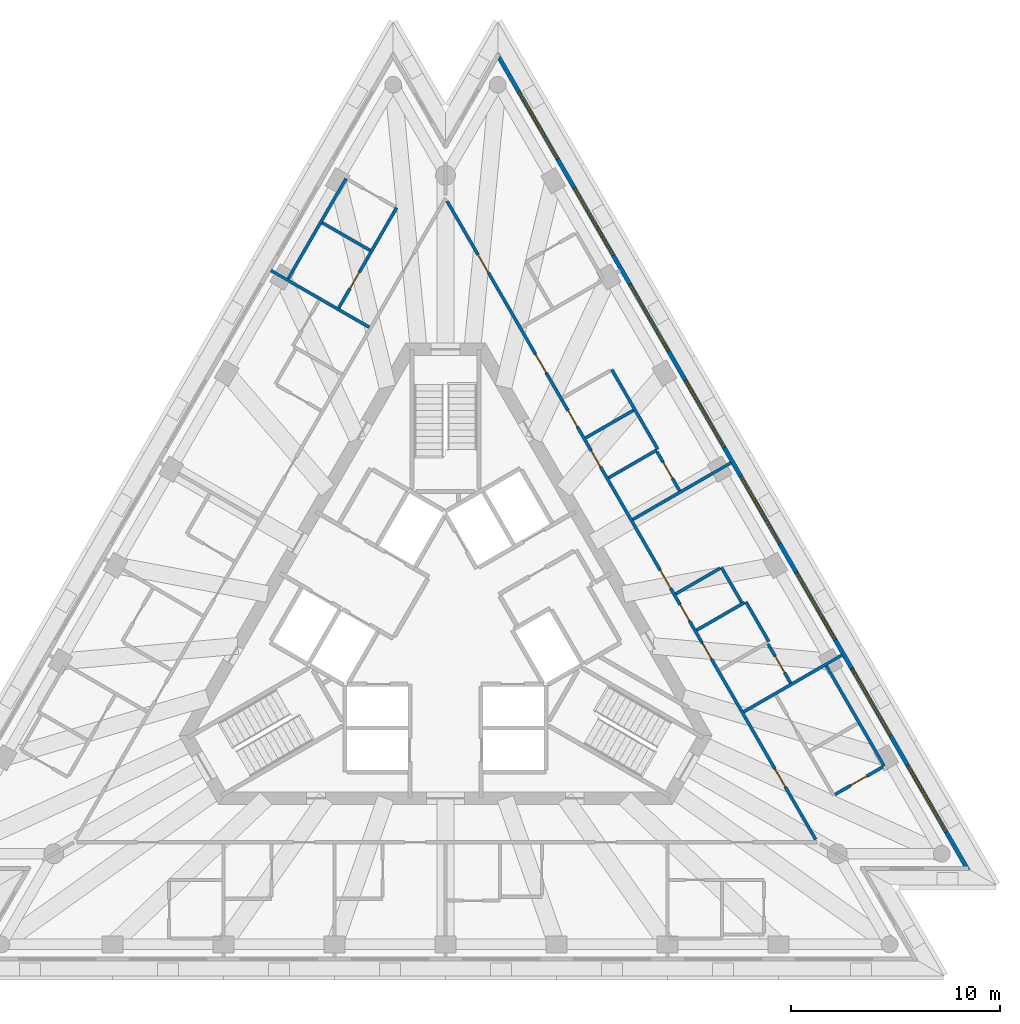
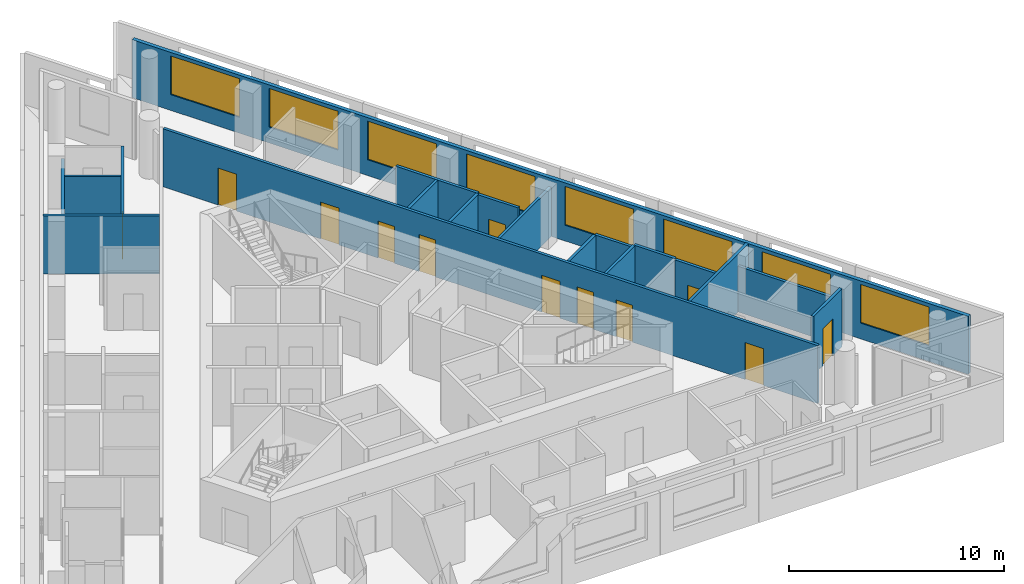
# One storey, part 7 of 11: 19 walls, 12 doors, 8 windows, 20 openings.
"""IFC4 building model written with IfcOpenShell, lengths in metres."""

from ifc_helpers import new_model, si_unit, direction, frame, frame_2d, origin, place, context, subcontext, project, spatial, rectangle, extrude, material, layer, layer_set, layer_usage, type_object, element, fill, save


model = new_model("IFC4")

# Units and contexts
model_context = context("Model", 3, precision=1e-05, world=origin(), true_north=direction((0.0, 1.0)))
body_context = subcontext(model_context, "Body", "Model", "MODEL_VIEW")
ifc_project = project(units=[si_unit("LENGTHUNIT", "METRE"), si_unit("AREAUNIT", "SQUARE_METRE"), si_unit("VOLUMEUNIT", "CUBIC_METRE"), si_unit("PLANEANGLEUNIT", "RADIAN"), si_unit("MASSUNIT", "GRAM", prefix="KILO")], contexts=[model_context])

# Site, building, storey
site_placement = place(None, origin())
site = spatial("IfcSite", under=ifc_project, at=site_placement, CompositionType="ELEMENT")
building_placement = place(site_placement, origin())
building = spatial("IfcBuilding", under=site, at=building_placement, Name="Triada Interchange Tower", CompositionType="ELEMENT")
storey_placement = place(building_placement, frame((0.0, 0.0, 304.300048828125)))
storey = spatial("IfcBuildingStorey", under=building, at=storey_placement, Name="L72", CompositionType="ELEMENT", Elevation=304.300048828125)

# Wall, openings, windows
ifc_material_1 = material(Name="Cement board")
ifc_layer_1 = layer(ifc_material_1, 0.02001953125, Name="Cement board cladding")
ifc_material_2 = material(Name="Sheathing board")
ifc_layer_2 = layer(ifc_material_2, 0.014892578125, Name="Sheathing board")
ifc_material_3 = material(Name="Mineral wool")
ifc_layer_3 = layer(ifc_material_3, 0.14990234375, Name="Mineral wool between steel studs")
ifc_material_4 = material(Name="Gypsum board")
ifc_layer_4 = layer(ifc_material_4, 0.014892578125, Name="Plasterboard lining")
ifc_layer_set_1 = layer_set([ifc_layer_1, ifc_layer_2, ifc_layer_3, ifc_layer_4], Name="External wall 200")
ifc_layer_usage = layer_usage(ifc_layer_set_1, "AXIS2", "POSITIVE", -0.10009765625)
wall_type_1 = type_object("IfcWallType", Name="External wall 200", PredefinedType="ELEMENTEDWALL", material=ifc_layer_set_1)
wall_1_placement = place(storey_placement, frame((24.9599609375, -11.577880859375, 0.0), z_axis=(0.0, 0.0, 1.0), x_axis=(-0.500002391419, 0.866024023094, 0.0)))
wall_1 = element("IfcWall", 1, at=wall_1_placement, inside=storey, type_object=wall_type_1, material=ifc_layer_usage, Name="External wall L72 NE", PredefinedType="ELEMENTEDWALL", context=body_context, shape_type="SweptSolid", body=[
    extrude(rectangle(XDim=44.993896484375, YDim=0.199951171875, at=frame_2d((22.4970703125, 0.0))), origin(), (0.0, 0.0, 1.0), 3.300048828125),
])
opening_1_placement = place(wall_1_placement, frame((2.10302734375, 0.0, 0.89990234375)))
opening_1 = element("IfcOpeningElement", 2, at=opening_1_placement, cuts=wall_1, Name="Opening WD21", PredefinedType="OPENING", context=body_context, shape_type="SweptSolid", body=[
    extrude(rectangle(XDim=3.699951171875, YDim=2.199951171875, at=frame_2d((1.85009765625, 1.10009765625))), frame((0.0, 0.10986328125, 0.0), z_axis=(0.0, -1.0, 0.0), x_axis=(1.0, 0.0, 0.0)), (0.0, 0.0, 1.0), 0.219970703125),
])
opening_2_placement = place(wall_1_placement, frame((7.404052734375, 0.0, 0.89990234375)))
opening_2 = element("IfcOpeningElement", 3, at=opening_2_placement, cuts=wall_1, Name="Opening WD22", PredefinedType="OPENING", context=body_context, shape_type="SweptSolid", body=[
    extrude(rectangle(XDim=3.699951171875, YDim=2.199951171875, at=frame_2d((1.85009765625, 1.10009765625))), frame((0.0, 0.10986328125, 0.0), z_axis=(0.0, -1.0, 0.0), x_axis=(1.0, 0.0, 0.0)), (0.0, 0.0, 1.0), 0.219970703125),
])
opening_3_placement = place(wall_1_placement, frame((12.705078125, 0.0, 0.89990234375)))
opening_3 = element("IfcOpeningElement", 4, at=opening_3_placement, cuts=wall_1, Name="Opening WD23", PredefinedType="OPENING", context=body_context, shape_type="SweptSolid", body=[
    extrude(rectangle(XDim=3.699951171875, YDim=2.199951171875, at=frame_2d((1.85009765625, 1.10009765625))), frame((0.0, 0.10986328125, 0.0), z_axis=(0.0, -1.0, 0.0), x_axis=(1.0, 0.0, 0.0)), (0.0, 0.0, 1.0), 0.219970703125),
])
opening_4_placement = place(wall_1_placement, frame((18.006103515625, 0.0, 0.89990234375)))
opening_4 = element("IfcOpeningElement", 5, at=opening_4_placement, cuts=wall_1, Name="Opening WD24", PredefinedType="OPENING", context=body_context, shape_type="SweptSolid", body=[
    extrude(rectangle(XDim=3.699951171875, YDim=2.199951171875, at=frame_2d((1.85009765625, 1.10009765625))), frame((0.0, 0.10986328125, 0.0), z_axis=(0.0, -1.0, 0.0), x_axis=(1.0, 0.0, 0.0)), (0.0, 0.0, 1.0), 0.219970703125),
])
opening_5_placement = place(wall_1_placement, frame((23.30810546875, 0.0, 0.89990234375)))
opening_5 = element("IfcOpeningElement", 6, at=opening_5_placement, cuts=wall_1, Name="Opening WD25", PredefinedType="OPENING", context=body_context, shape_type="SweptSolid", body=[
    extrude(rectangle(XDim=3.699951171875, YDim=2.199951171875, at=frame_2d((1.85009765625, 1.10009765625))), frame((0.0, 0.10986328125, 0.0), z_axis=(0.0, -1.0, 0.0), x_axis=(1.0, 0.0, 0.0)), (0.0, 0.0, 1.0), 0.219970703125),
])
opening_6_placement = place(wall_1_placement, frame((28.60888671875, 0.0, 0.89990234375)))
opening_6 = element("IfcOpeningElement", 7, at=opening_6_placement, cuts=wall_1, Name="Opening WD26", PredefinedType="OPENING", context=body_context, shape_type="SweptSolid", body=[
    extrude(rectangle(XDim=3.699951171875, YDim=2.199951171875, at=frame_2d((1.85009765625, 1.10009765625))), frame((0.0, 0.10986328125, 0.0), z_axis=(0.0, -1.0, 0.0), x_axis=(1.0, 0.0, 0.0)), (0.0, 0.0, 1.0), 0.219970703125),
])
opening_7_placement = place(wall_1_placement, frame((33.909912109375, 0.0, 0.89990234375)))
opening_7 = element("IfcOpeningElement", 8, at=opening_7_placement, cuts=wall_1, Name="Opening WD27", PredefinedType="OPENING", context=body_context, shape_type="SweptSolid", body=[
    extrude(rectangle(XDim=3.699951171875, YDim=2.199951171875, at=frame_2d((1.85009765625, 1.10009765625))), frame((0.0, 0.10986328125, 0.0), z_axis=(0.0, -1.0, 0.0), x_axis=(1.0, 0.0, 0.0)), (0.0, 0.0, 1.0), 0.219970703125),
])
opening_8_placement = place(wall_1_placement, frame((39.2109375, 0.0, 0.89990234375)))
opening_8 = element("IfcOpeningElement", 9, at=opening_8_placement, cuts=wall_1, Name="Opening WD28", PredefinedType="OPENING", context=body_context, shape_type="SweptSolid", body=[
    extrude(rectangle(XDim=3.699951171875, YDim=2.199951171875, at=frame_2d((1.85009765625, 1.10009765625))), frame((0.0, 0.10986328125, 0.0), z_axis=(0.0, -1.0, 0.0), x_axis=(1.0, 0.0, 0.0)), (0.0, 0.0, 1.0), 0.219970703125),
])
ifc_material_5 = material(Name="Double glazed aluminium window", Category="aluminium")
window_type = type_object("IfcWindowType", Name="Ribbon window D face", PartitioningType="SINGLE_PANEL", PredefinedType="WINDOW", material=ifc_material_5)
window_1_placement = place(opening_1_placement, origin())
window_1 = element("IfcWindow", 10, at=window_1_placement, inside=storey, type_object=window_type, Name="Window L72 NE 1", OverallHeight=2.199951171875, OverallWidth=3.699951171875, PartitioningType="SINGLE_PANEL", PredefinedType="WINDOW", context=body_context, shape_type="SweptSolid", body=[
    extrude(rectangle(XDim=3.699951171875, YDim=2.199951171875, at=frame_2d((1.85009765625, 1.10009765625))), frame((0.0, 0.030029296875, 0.0), z_axis=(0.0, -1.0, 0.0), x_axis=(1.0, 0.0, 0.0)), (0.0, 0.0, 1.0), 0.06005859375),
])
fill(opening_1, window_1)
window_2_placement = place(opening_2_placement, origin())
window_2 = element("IfcWindow", 11, at=window_2_placement, inside=storey, type_object=window_type, Name="Window L72 NE 2", OverallHeight=2.199951171875, OverallWidth=3.699951171875, PartitioningType="SINGLE_PANEL", PredefinedType="WINDOW", context=body_context, shape_type="SweptSolid", body=[
    extrude(rectangle(XDim=3.699951171875, YDim=2.199951171875, at=frame_2d((1.85009765625, 1.10009765625))), frame((0.0, 0.030029296875, 0.0), z_axis=(0.0, -1.0, 0.0), x_axis=(1.0, 0.0, 0.0)), (0.0, 0.0, 1.0), 0.06005859375),
])
fill(opening_2, window_2)
window_3_placement = place(opening_3_placement, origin())
window_3 = element("IfcWindow", 12, at=window_3_placement, inside=storey, type_object=window_type, Name="Window L72 NE 3", OverallHeight=2.199951171875, OverallWidth=3.699951171875, PartitioningType="SINGLE_PANEL", PredefinedType="WINDOW", context=body_context, shape_type="SweptSolid", body=[
    extrude(rectangle(XDim=3.699951171875, YDim=2.199951171875, at=frame_2d((1.85009765625, 1.10009765625))), frame((0.0, 0.030029296875, 0.0), z_axis=(0.0, -1.0, 0.0), x_axis=(1.0, 0.0, 0.0)), (0.0, 0.0, 1.0), 0.06005859375),
])
fill(opening_3, window_3)
window_4_placement = place(opening_4_placement, origin())
window_4 = element("IfcWindow", 13, at=window_4_placement, inside=storey, type_object=window_type, Name="Window L72 NE 4", OverallHeight=2.199951171875, OverallWidth=3.699951171875, PartitioningType="SINGLE_PANEL", PredefinedType="WINDOW", context=body_context, shape_type="SweptSolid", body=[
    extrude(rectangle(XDim=3.699951171875, YDim=2.199951171875, at=frame_2d((1.85009765625, 1.10009765625))), frame((0.0, 0.030029296875, 0.0), z_axis=(0.0, -1.0, 0.0), x_axis=(1.0, 0.0, 0.0)), (0.0, 0.0, 1.0), 0.06005859375),
])
fill(opening_4, window_4)
window_5_placement = place(opening_5_placement, origin())
window_5 = element("IfcWindow", 14, at=window_5_placement, inside=storey, type_object=window_type, Name="Window L72 NE 5", OverallHeight=2.199951171875, OverallWidth=3.699951171875, PartitioningType="SINGLE_PANEL", PredefinedType="WINDOW", context=body_context, shape_type="SweptSolid", body=[
    extrude(rectangle(XDim=3.699951171875, YDim=2.199951171875, at=frame_2d((1.85009765625, 1.10009765625))), frame((0.0, 0.030029296875, 0.0), z_axis=(0.0, -1.0, 0.0), x_axis=(1.0, 0.0, 0.0)), (0.0, 0.0, 1.0), 0.06005859375),
])
fill(opening_5, window_5)
window_6_placement = place(opening_6_placement, origin())
window_6 = element("IfcWindow", 15, at=window_6_placement, inside=storey, type_object=window_type, Name="Window L72 NE 6", OverallHeight=2.199951171875, OverallWidth=3.699951171875, PartitioningType="SINGLE_PANEL", PredefinedType="WINDOW", context=body_context, shape_type="SweptSolid", body=[
    extrude(rectangle(XDim=3.699951171875, YDim=2.199951171875, at=frame_2d((1.85009765625, 1.10009765625))), frame((0.0, 0.030029296875, 0.0), z_axis=(0.0, -1.0, 0.0), x_axis=(1.0, 0.0, 0.0)), (0.0, 0.0, 1.0), 0.06005859375),
])
fill(opening_6, window_6)
window_7_placement = place(opening_7_placement, origin())
window_7 = element("IfcWindow", 16, at=window_7_placement, inside=storey, type_object=window_type, Name="Window L72 NE 7", OverallHeight=2.199951171875, OverallWidth=3.699951171875, PartitioningType="SINGLE_PANEL", PredefinedType="WINDOW", context=body_context, shape_type="SweptSolid", body=[
    extrude(rectangle(XDim=3.699951171875, YDim=2.199951171875, at=frame_2d((1.85009765625, 1.10009765625))), frame((0.0, 0.030029296875, 0.0), z_axis=(0.0, -1.0, 0.0), x_axis=(1.0, 0.0, 0.0)), (0.0, 0.0, 1.0), 0.06005859375),
])
fill(opening_7, window_7)
window_8_placement = place(opening_8_placement, origin())
window_8 = element("IfcWindow", 17, at=window_8_placement, inside=storey, type_object=window_type, Name="Window L72 NE 8", OverallHeight=2.199951171875, OverallWidth=3.699951171875, PartitioningType="SINGLE_PANEL", PredefinedType="WINDOW", context=body_context, shape_type="SweptSolid", body=[
    extrude(rectangle(XDim=3.699951171875, YDim=2.199951171875, at=frame_2d((1.85009765625, 1.10009765625))), frame((0.0, 0.030029296875, 0.0), z_axis=(0.0, -1.0, 0.0), x_axis=(1.0, 0.0, 0.0)), (0.0, 0.0, 1.0), 0.06005859375),
])
fill(opening_8, window_8)

# Walls
ifc_material_6 = material(Name="Gypsum board partition")
ifc_layer_5 = layer(ifc_material_6, 0.14990234375)
ifc_layer_set_2 = layer_set([ifc_layer_5], Name="PARTITION 150 EI 180")
wall_type_2 = type_object("IfcWallType", Name="PARTITION 150 EI 180", PredefinedType="PARTITIONING", material=ifc_layer_set_2)
wall_2_placement = place(storey_placement, frame((8.94189453125, 5.1630859375, 0.0), z_axis=(0.0, 0.0, 1.0), x_axis=(0.866006352826, 0.500032995777, 0.0)))
element("IfcWall", 18, at=wall_2_placement, inside=storey, type_object=wall_type_2, Name="Wall L71 2", PredefinedType="PARTITIONING", context=body_context, shape_type="SweptSolid", body=[
    extrude(rectangle(XDim=5.421630859375, YDim=0.14990234375, at=frame_2d((2.7109375, 0.0))), origin(), (0.0, 0.0, 1.0), 2.800048828125),
])
wall_3_placement = place(storey_placement, frame((-8.3359375, 17.054931640625, 0.0), z_axis=(0.0, 0.0, 1.0), x_axis=(0.865995092734, -0.500052496605, 0.0)))
element("IfcWall", 19, at=wall_3_placement, inside=storey, type_object=wall_type_2, Name="Wall L71 10", PredefinedType="PARTITIONING", context=body_context, shape_type="SweptSolid", body=[
    extrude(rectangle(XDim=5.42138671875, YDim=0.14990234375, at=frame_2d((2.710693359375, 0.0))), origin(), (0.0, 0.0, 1.0), 3.300048828125),
])

# Wall, openings, doors
wall_4_placement = place(storey_placement, frame((0.074951171875, 20.3701171875, 0.0), z_axis=(0.0, 0.0, 1.0), x_axis=(0.500009775255, -0.866019759965, 0.0)))
wall_4 = element("IfcWall", 20, at=wall_4_placement, inside=storey, type_object=wall_type_2, Name="Wall L71 14", PredefinedType="PARTITIONING", context=body_context, shape_type="SweptSolid", body=[
    extrude(rectangle(XDim=35.207275390625, YDim=0.14990234375, at=frame_2d((17.603515625, 0.0))), origin(), (0.0, 0.0, 1.0), 3.300048828125),
])
opening_9_placement = place(wall_4_placement, frame((31.306884765625, 0.0, 0.0)))
opening_9 = element("IfcOpeningElement", 21, at=opening_9_placement, cuts=wall_4, Name="Opening D71-23", PredefinedType="OPENING", context=body_context, shape_type="SweptSolid", body=[
    extrude(rectangle(XDim=1.0, YDim=2.10009765625, at=frame_2d((0.5, 1.050048828125))), frame((0.0, 0.0849609375, 0.0), z_axis=(0.0, -1.0, 0.0), x_axis=(1.0, 0.0, 0.0)), (0.0, 0.0, 1.0), 0.169921875),
])
opening_10_placement = place(wall_4_placement, frame((20.35498046875, 0.0, 0.0)))
opening_10 = element("IfcOpeningElement", 22, at=opening_10_placement, cuts=wall_4, Name="Opening D71-26", PredefinedType="OPENING", context=body_context, shape_type="SweptSolid", body=[
    extrude(rectangle(XDim=1.0, YDim=2.10009765625, at=frame_2d((0.5, 1.050048828125))), frame((0.0, 0.0849609375, 0.0), z_axis=(0.0, -1.0, 0.0), x_axis=(1.0, 0.0, 0.0)), (0.0, 0.0, 1.0), 0.169921875),
])
opening_11_placement = place(wall_4_placement, frame((24.35498046875, 0.0, 0.0)))
opening_11 = element("IfcOpeningElement", 23, at=opening_11_placement, cuts=wall_4, Name="Opening D71-28", PredefinedType="OPENING", context=body_context, shape_type="SweptSolid", body=[
    extrude(rectangle(XDim=0.89990234375, YDim=2.10009765625, at=frame_2d((0.449951171875, 1.050048828125))), frame((0.0, 0.0849609375, 0.0), z_axis=(0.0, -1.0, 0.0), x_axis=(1.0, 0.0, 0.0)), (0.0, 0.0, 1.0), 0.169921875),
])
opening_12_placement = place(wall_4_placement, frame((22.2548828125, 0.0, 0.0)))
opening_12 = element("IfcOpeningElement", 24, at=opening_12_placement, cuts=wall_4, Name="Opening D71-29", PredefinedType="OPENING", context=body_context, shape_type="SweptSolid", body=[
    extrude(rectangle(XDim=0.89990234375, YDim=2.10009765625, at=frame_2d((0.449951171875, 1.050048828125))), frame((0.0, 0.0849609375, 0.0), z_axis=(0.0, -1.0, 0.0), x_axis=(1.0, 0.0, 0.0)), (0.0, 0.0, 1.0), 0.169921875),
])
opening_13_placement = place(wall_4_placement, frame((8.452880859375, 0.0, 0.0)))
opening_13 = element("IfcOpeningElement", 25, at=opening_13_placement, cuts=wall_4, Name="Opening D71-30", PredefinedType="OPENING", context=body_context, shape_type="SweptSolid", body=[
    extrude(rectangle(XDim=1.0, YDim=2.10009765625, at=frame_2d((0.5, 1.050048828125))), frame((0.0, 0.0849609375, 0.0), z_axis=(0.0, -1.0, 0.0), x_axis=(1.0, 0.0, 0.0)), (0.0, 0.0, 1.0), 0.169921875),
])
opening_14_placement = place(wall_4_placement, frame((13.7529296875, 0.0, 0.0)))
opening_14 = element("IfcOpeningElement", 26, at=opening_14_placement, cuts=wall_4, Name="Opening D71-32", PredefinedType="OPENING", context=body_context, shape_type="SweptSolid", body=[
    extrude(rectangle(XDim=0.89990234375, YDim=2.10009765625, at=frame_2d((0.449951171875, 1.050048828125))), frame((0.0, 0.0849609375, 0.0), z_axis=(0.0, -1.0, 0.0), x_axis=(1.0, 0.0, 0.0)), (0.0, 0.0, 1.0), 0.169921875),
])
opening_15_placement = place(wall_4_placement, frame((11.552978515625, 0.0, 0.0)))
opening_15 = element("IfcOpeningElement", 27, at=opening_15_placement, cuts=wall_4, Name="Opening D71-33", PredefinedType="OPENING", context=body_context, shape_type="SweptSolid", body=[
    extrude(rectangle(XDim=0.89990234375, YDim=2.10009765625, at=frame_2d((0.449951171875, 1.050048828125))), frame((0.0, 0.0849609375, 0.0), z_axis=(0.0, -1.0, 0.0), x_axis=(1.0, 0.0, 0.0)), (0.0, 0.0, 1.0), 0.169921875),
])
opening_16_placement = place(wall_4_placement, frame((2.950927734375, 0.0, 0.0)))
opening_16 = element("IfcOpeningElement", 28, at=opening_16_placement, cuts=wall_4, Name="Opening D71-34", PredefinedType="OPENING", context=body_context, shape_type="SweptSolid", body=[
    extrude(rectangle(XDim=1.0, YDim=2.10009765625, at=frame_2d((0.5, 1.050048828125))), frame((0.0, 0.0849609375, 0.0), z_axis=(0.0, -1.0, 0.0), x_axis=(1.0, 0.0, 0.0)), (0.0, 0.0, 1.0), 0.169921875),
])
ifc_material_7 = material(Name="Steel S235 door leaf", Category="steel")
door_type_1 = type_object("IfcDoorType", Name="GUEST ROOM DOOR 1000 EI2 90-C5S200", OperationType="NOTDEFINED", PredefinedType="DOOR", material=ifc_material_7)
door_1_placement = place(opening_9_placement, origin())
door_1 = element("IfcDoor", 29, at=door_1_placement, inside=storey, type_object=door_type_1, Name="Door D71-23 L72", OperationType="SINGLE_SWING_RIGHT", OverallHeight=2.10009765625, OverallWidth=1.0, PredefinedType="DOOR", context=body_context, shape_type="SweptSolid", body=[
    extrude(rectangle(XDim=1.0, YDim=2.10009765625, at=frame_2d((0.5, 1.050048828125))), frame((0.0, 0.02490234375, 0.0), z_axis=(0.0, -1.0, 0.0), x_axis=(1.0, 0.0, 0.0)), (0.0, 0.0, 1.0), 0.050048828125),
])
fill(opening_9, door_1)
door_2_placement = place(opening_10_placement, origin())
door_2 = element("IfcDoor", 30, at=door_2_placement, inside=storey, type_object=door_type_1, Name="Door D71-26 L72", OperationType="SINGLE_SWING_LEFT", OverallHeight=2.10009765625, OverallWidth=1.0, PredefinedType="DOOR", context=body_context, shape_type="SweptSolid", body=[
    extrude(rectangle(XDim=1.0, YDim=2.10009765625, at=frame_2d((0.5, 1.050048828125))), frame((0.0, 0.02490234375, 0.0), z_axis=(0.0, -1.0, 0.0), x_axis=(1.0, 0.0, 0.0)), (0.0, 0.0, 1.0), 0.050048828125),
])
fill(opening_10, door_2)
door_3_placement = place(opening_13_placement, origin())
door_3 = element("IfcDoor", 31, at=door_3_placement, inside=storey, type_object=door_type_1, Name="Door D71-30 L72", OperationType="SINGLE_SWING_LEFT", OverallHeight=2.10009765625, OverallWidth=1.0, PredefinedType="DOOR", context=body_context, shape_type="SweptSolid", body=[
    extrude(rectangle(XDim=1.0, YDim=2.10009765625, at=frame_2d((0.5, 1.050048828125))), frame((0.0, 0.02490234375, 0.0), z_axis=(0.0, -1.0, 0.0), x_axis=(1.0, 0.0, 0.0)), (0.0, 0.0, 1.0), 0.050048828125),
])
fill(opening_13, door_3)
door_4_placement = place(opening_16_placement, origin())
door_4 = element("IfcDoor", 32, at=door_4_placement, inside=storey, type_object=door_type_1, Name="Door D71-34 L72", OperationType="SINGLE_SWING_LEFT", OverallHeight=2.10009765625, OverallWidth=1.0, PredefinedType="DOOR", context=body_context, shape_type="SweptSolid", body=[
    extrude(rectangle(XDim=1.0, YDim=2.10009765625, at=frame_2d((0.5, 1.050048828125))), frame((0.0, 0.02490234375, 0.0), z_axis=(0.0, -1.0, 0.0), x_axis=(1.0, 0.0, 0.0)), (0.0, 0.0, 1.0), 0.050048828125),
])
fill(opening_16, door_4)
door_type_2 = type_object("IfcDoorType", Name="ROOM DOOR 900 EI2 90-C5S200", OperationType="NOTDEFINED", PredefinedType="DOOR", material=ifc_material_7)
door_5_placement = place(opening_12_placement, origin())
door_5 = element("IfcDoor", 33, at=door_5_placement, inside=storey, type_object=door_type_2, Name="Door D71-29 L72", OperationType="SINGLE_SWING_RIGHT", OverallHeight=2.10009765625, OverallWidth=0.89990234375, PredefinedType="DOOR", context=body_context, shape_type="SweptSolid", body=[
    extrude(rectangle(XDim=0.89990234375, YDim=2.10009765625, at=frame_2d((0.449951171875, 1.050048828125))), frame((0.0, 0.02490234375, 0.0), z_axis=(0.0, -1.0, 0.0), x_axis=(1.0, 0.0, 0.0)), (0.0, 0.0, 1.0), 0.050048828125),
])
fill(opening_12, door_5)
door_6_placement = place(opening_15_placement, origin())
door_6 = element("IfcDoor", 34, at=door_6_placement, inside=storey, type_object=door_type_2, Name="Door D71-33 L72", OperationType="SINGLE_SWING_RIGHT", OverallHeight=2.10009765625, OverallWidth=0.89990234375, PredefinedType="DOOR", context=body_context, shape_type="SweptSolid", body=[
    extrude(rectangle(XDim=0.89990234375, YDim=2.10009765625, at=frame_2d((0.449951171875, 1.050048828125))), frame((0.0, 0.02490234375, 0.0), z_axis=(0.0, -1.0, 0.0), x_axis=(1.0, 0.0, 0.0)), (0.0, 0.0, 1.0), 0.050048828125),
])
fill(opening_15, door_6)
door_type_3 = type_object("IfcDoorType", Name="SERVICE DOOR 900 EI2 90-C5S200", OperationType="NOTDEFINED", PredefinedType="DOOR", material=ifc_material_7)
door_7_placement = place(opening_11_placement, origin())
door_7 = element("IfcDoor", 35, at=door_7_placement, inside=storey, type_object=door_type_3, Name="Door D71-28 L72", OperationType="SINGLE_SWING_RIGHT", OverallHeight=2.10009765625, OverallWidth=0.89990234375, PredefinedType="DOOR", context=body_context, shape_type="SweptSolid", body=[
    extrude(rectangle(XDim=0.89990234375, YDim=2.10009765625, at=frame_2d((0.449951171875, 1.050048828125))), frame((0.0, 0.02490234375, 0.0), z_axis=(0.0, -1.0, 0.0), x_axis=(1.0, 0.0, 0.0)), (0.0, 0.0, 1.0), 0.050048828125),
])
fill(opening_11, door_7)
door_8_placement = place(opening_14_placement, origin())
door_8 = element("IfcDoor", 36, at=door_8_placement, inside=storey, type_object=door_type_3, Name="Door D71-32 L72", OperationType="SINGLE_SWING_RIGHT", OverallHeight=2.10009765625, OverallWidth=0.89990234375, PredefinedType="DOOR", context=body_context, shape_type="SweptSolid", body=[
    extrude(rectangle(XDim=0.89990234375, YDim=2.10009765625, at=frame_2d((0.449951171875, 1.050048828125))), frame((0.0, 0.02490234375, 0.0), z_axis=(0.0, -1.0, 0.0), x_axis=(1.0, 0.0, 0.0)), (0.0, 0.0, 1.0), 0.050048828125),
])
fill(opening_14, door_8)

# Walls
wall_5_placement = place(storey_placement, frame((7.94091796875, 12.322021484375, 0.0), z_axis=(0.0, 0.0, 1.0), x_axis=(0.500077893725, -0.86598042715, 0.0)))
element("IfcWall", 37, at=wall_5_placement, inside=storey, type_object=wall_type_2, Name="Wall L71 16", PredefinedType="PARTITIONING", context=body_context, shape_type="SweptSolid", body=[
    extrude(rectangle(XDim=4.399658203125, YDim=0.14990234375, at=frame_2d((2.19970703125, 0.0))), origin(), (0.0, 0.0, 1.0), 3.300048828125),
])
wall_6_placement = place(storey_placement, frame((14.343017578125, 1.235107421875, 0.0), z_axis=(0.0, 0.0, 1.0), x_axis=(0.500077893725, -0.86598042715, 0.0)))
element("IfcWall", 38, at=wall_6_placement, inside=storey, type_object=wall_type_2, Name="Wall L71 17", PredefinedType="PARTITIONING", context=body_context, shape_type="SweptSolid", body=[
    extrude(rectangle(XDim=2.199951171875, YDim=0.14990234375, at=frame_2d((1.10009765625, 0.0))), origin(), (0.0, 0.0, 1.0), 3.300048828125),
])
for number, where, z_axis, x_axis, name in (
    (39, (6.69091796875, 9.06005859375, 0.0), (0.0, 0.0, 1.0), (0.866105468975, 0.499861297372, 0.0), "Wall L71 19"),
    (40, (7.791015625, 7.155029296875, 0.0), (0.0, 0.0, 1.0), (0.866042279195, 0.499970769793, 0.0), "Wall L71 20"),
):
    element("IfcWall", number, at=place(storey_placement, frame(where, z_axis=z_axis, x_axis=x_axis)), inside=storey, type_object=wall_type_2, Name=name, PredefinedType="PARTITIONING", context=body_context, shape_type="SweptSolid", body=[
        extrude(rectangle(XDim=2.638427734375, YDim=0.14990234375, at=frame_2d((1.3193359375, 0.0))), origin(), (0.0, 0.0, 1.0), 3.300048828125),
    ])
wall_7_placement = place(storey_placement, frame((13.178955078125, 2.873046875, 0.0), z_axis=(0.0, 0.0, 1.0), x_axis=(0.500271259635, -0.865868735308, 0.0)))
element("IfcWall", 41, at=wall_7_placement, inside=storey, type_object=wall_type_2, Name="Wall L71 22", PredefinedType="PARTITIONING", context=body_context, shape_type="SweptSolid", body=[
    extrude(rectangle(XDim=1.92529296875, YDim=0.14990234375, at=frame_2d((0.962646484375, 0.0))), origin(), (0.0, 0.0, 1.0), 3.300048828125),
])
wall_8_placement = place(storey_placement, frame((10.992919921875, 1.610107421875, 0.0), z_axis=(0.0, 0.0, 1.0), x_axis=(0.865983065851, 0.500073324283, 0.0)))
element("IfcWall", 42, at=wall_8_placement, inside=storey, type_object=wall_type_2, Name="Wall L71 23", PredefinedType="PARTITIONING", context=body_context, shape_type="SweptSolid", body=[
    extrude(rectangle(XDim=2.449462890625, YDim=0.14990234375, at=frame_2d((1.224609375, 0.0))), origin(), (0.0, 0.0, 1.0), 3.300048828125),
])
wall_9_placement = place(storey_placement, frame((11.992919921875, -0.1220703125, 0.0), z_axis=(0.0, 0.0, 1.0), x_axis=(0.866065407652, 0.499930704866, 0.0)))
element("IfcWall", 43, at=wall_9_placement, inside=storey, type_object=wall_type_2, Name="Wall L71 24", PredefinedType="PARTITIONING", context=body_context, shape_type="SweptSolid", body=[
    extrude(rectangle(XDim=2.638427734375, YDim=0.14990234375, at=frame_2d((1.3193359375, 0.0))), origin(), (0.0, 0.0, 1.0), 3.300048828125),
])
wall_10_placement = place(storey_placement, frame((14.242919921875, -4.01904296875, 0.0), z_axis=(0.0, 0.0, 1.0), x_axis=(0.866006352826, 0.500032995777, 0.0)))
element("IfcWall", 44, at=wall_10_placement, inside=storey, type_object=wall_type_2, Name="Wall L71 26", PredefinedType="PARTITIONING", context=body_context, shape_type="SweptSolid", body=[
    extrude(rectangle(XDim=5.421630859375, YDim=0.14990234375, at=frame_2d((2.7109375, 0.0))), origin(), (0.0, 0.0, 1.0), 3.300048828125),
])

# Wall, opening, door
ifc_layer_6 = layer(ifc_material_6, 0.14990234375)
ifc_layer_set_3 = layer_set([ifc_layer_6], Name="PARTITION 150 EI 90")
wall_type_3 = type_object("IfcWallType", Name="PARTITION 150 EI 90", PredefinedType="PARTITIONING", material=ifc_layer_set_3)
wall_11_placement = place(storey_placement, frame((-5.096923828125, 15.27197265625, 0.0), z_axis=(0.0, 0.0, 1.0), x_axis=(0.499994082372, 0.866028820302, 0.0)))
wall_11 = element("IfcWall", 45, at=wall_11_placement, inside=storey, type_object=wall_type_3, Name="Wall L71 31", PredefinedType="PARTITIONING", context=body_context, shape_type="SweptSolid", body=[
    extrude(rectangle(XDim=5.52392578125, YDim=0.14990234375, at=frame_2d((2.761962890625, 0.0))), origin(), (0.0, 0.0, 1.0), 3.300048828125),
])
opening_17_placement = place(wall_11_placement, frame((1.074951171875, 0.0, 0.0)))
opening_17 = element("IfcOpeningElement", 46, at=opening_17_placement, cuts=wall_11, Name="Opening D71-37", PredefinedType="OPENING", context=body_context, shape_type="SweptSolid", body=[
    extrude(rectangle(XDim=0.89990234375, YDim=2.10009765625, at=frame_2d((0.449951171875, 1.050048828125))), frame((0.0, 0.0849609375, 0.0), z_axis=(0.0, -1.0, 0.0), x_axis=(1.0, 0.0, 0.0)), (0.0, 0.0, 1.0), 0.169921875),
])
door_type_4 = type_object("IfcDoorType", Name="ROOM DOOR 900 EI2 45-C5S200", OperationType="NOTDEFINED", PredefinedType="DOOR", material=ifc_material_7)
door_9_placement = place(opening_17_placement, origin())
door_9 = element("IfcDoor", 47, at=door_9_placement, inside=storey, type_object=door_type_4, Name="Door D71-37 L72", OperationType="SINGLE_SWING_LEFT", OverallHeight=2.10009765625, OverallWidth=0.89990234375, PredefinedType="DOOR", context=body_context, shape_type="SweptSolid", body=[
    extrude(rectangle(XDim=0.89990234375, YDim=2.10009765625, at=frame_2d((0.449951171875, 1.050048828125))), frame((0.0, 0.02490234375, 0.0), z_axis=(0.0, -1.0, 0.0), x_axis=(1.0, 0.0, 0.0)), (0.0, 0.0, 1.0), 0.050048828125),
])
fill(opening_17, door_9)

# Walls
wall_12_placement = place(storey_placement, frame((-7.511962890625, 16.666015625, 0.0), z_axis=(0.0, 0.0, 1.0), x_axis=(0.500050108258, 0.865996471835, 0.0)))
element("IfcWall", 48, at=wall_12_placement, inside=storey, type_object=wall_type_3, Name="Wall L71 33", PredefinedType="PARTITIONING", context=body_context, shape_type="SweptSolid", body=[
    extrude(rectangle(XDim=5.525390625, YDim=0.14990234375, at=frame_2d((2.7626953125, 0.0))), origin(), (0.0, 0.0, 1.0), 2.599853515625),
])
wall_13_placement = place(storey_placement, frame((-5.885009765625, 19.3349609375, 0.0), z_axis=(0.0, 0.0, 1.0), x_axis=(0.865881993967, -0.500248310865, 0.0)))
element("IfcWall", 49, at=wall_13_placement, inside=storey, type_object=wall_type_3, Name="Wall L71 51", PredefinedType="PARTITIONING", context=body_context, shape_type="SweptSolid", body=[
    extrude(rectangle(XDim=2.638916015625, YDim=0.14990234375, at=frame_2d((1.3193359375, 0.0))), origin(), (0.0, 0.0, 1.0), 3.300048828125),
])
wall_14_placement = place(storey_placement, frame((18.18896484375, -1.826904296875, 0.0), z_axis=(0.0, 0.0, 1.0), x_axis=(0.499898410332, -0.866084048662, 0.0)))
element("IfcWall", 50, at=wall_14_placement, inside=storey, type_object=wall_type_3, Name="Wall L71 58", PredefinedType="PARTITIONING", context=body_context, shape_type="SweptSolid", body=[
    extrude(rectangle(XDim=5.525146484375, YDim=0.14990234375, at=frame_2d((2.7626953125, 0.0))), origin(), (0.0, 0.0, 1.0), 2.599853515625),
])

# Wall, opening, door
wall_15_placement = place(storey_placement, frame((10.10205078125, 8.402099609375, 0.0), z_axis=(0.0, 0.0, 1.0), x_axis=(0.499961633463, -0.866047553582, 0.0)))
wall_15 = element("IfcWall", 51, at=wall_15_placement, inside=storey, type_object=wall_type_3, Name="Wall L71 62", PredefinedType="PARTITIONING", context=body_context, shape_type="SweptSolid", body=[
    extrude(rectangle(XDim=2.150146484375, YDim=0.14990234375, at=frame_2d((1.0751953125, 0.0))), origin(), (0.0, 0.0, 1.0), 3.300048828125),
])
opening_18_placement = place(wall_15_placement, frame((0.574951171875, 0.0, 0.0)))
opening_18 = element("IfcOpeningElement", 52, at=opening_18_placement, cuts=wall_15, Name="Opening D71-31", PredefinedType="OPENING", context=body_context, shape_type="SweptSolid", body=[
    extrude(rectangle(XDim=0.89990234375, YDim=2.10009765625, at=frame_2d((0.449951171875, 1.050048828125))), frame((0.0, 0.0849609375, 0.0), z_axis=(0.0, -1.0, 0.0), x_axis=(1.0, 0.0, 0.0)), (0.0, 0.0, 1.0), 0.169921875),
])
door_10_placement = place(opening_18_placement, origin())
door_10 = element("IfcDoor", 53, at=door_10_placement, inside=storey, type_object=door_type_4, Name="Door D71-31 L72", OperationType="SINGLE_SWING_LEFT", OverallHeight=2.10009765625, OverallWidth=0.89990234375, PredefinedType="DOOR", context=body_context, shape_type="SweptSolid", body=[
    extrude(rectangle(XDim=0.89990234375, YDim=2.10009765625, at=frame_2d((0.449951171875, 1.050048828125))), frame((0.0, 0.02490234375, 0.0), z_axis=(0.0, -1.0, 0.0), x_axis=(1.0, 0.0, 0.0)), (0.0, 0.0, 1.0), 0.050048828125),
])
fill(opening_18, door_10)

wall_16_placement = place(storey_placement, frame((15.403076171875, -0.779052734375, 0.0), z_axis=(0.0, 0.0, 1.0), x_axis=(0.499961633463, -0.866047553582, 0.0)))
wall_16 = element("IfcWall", 54, at=wall_16_placement, inside=storey, type_object=wall_type_3, Name="Wall L71 63", PredefinedType="PARTITIONING", context=body_context, shape_type="SweptSolid", body=[
    extrude(rectangle(XDim=2.150146484375, YDim=0.14990234375, at=frame_2d((1.0751953125, 0.0))), origin(), (0.0, 0.0, 1.0), 3.300048828125),
])
opening_19_placement = place(wall_16_placement, frame((0.676025390625, 0.0, 0.0)))
opening_19 = element("IfcOpeningElement", 55, at=opening_19_placement, cuts=wall_16, Name="Opening D71-27", PredefinedType="OPENING", context=body_context, shape_type="SweptSolid", body=[
    extrude(rectangle(XDim=0.89990234375, YDim=2.10009765625, at=frame_2d((0.449951171875, 1.050048828125))), frame((0.0, 0.0849609375, 0.0), z_axis=(0.0, -1.0, 0.0), x_axis=(1.0, 0.0, 0.0)), (0.0, 0.0, 1.0), 0.169921875),
])
door_11_placement = place(opening_19_placement, origin())
door_11 = element("IfcDoor", 56, at=door_11_placement, inside=storey, type_object=door_type_4, Name="Door D71-27 L72", OperationType="SINGLE_SWING_LEFT", OverallHeight=2.10009765625, OverallWidth=0.89990234375, PredefinedType="DOOR", context=body_context, shape_type="SweptSolid", body=[
    extrude(rectangle(XDim=0.89990234375, YDim=2.10009765625, at=frame_2d((0.449951171875, 1.050048828125))), frame((0.0, 0.02490234375, 0.0), z_axis=(0.0, -1.0, 0.0), x_axis=(1.0, 0.0, 0.0)), (0.0, 0.0, 1.0), 0.050048828125),
])
fill(opening_19, door_11)

wall_17_placement = place(storey_placement, frame((18.60107421875, -7.968994140625, 0.0), z_axis=(0.0, 0.0, 1.0), x_axis=(0.865881993967, 0.500248310865, 0.0)))
wall_17 = element("IfcWall", 57, at=wall_17_placement, inside=storey, type_object=wall_type_3, Name="Wall L71 68", PredefinedType="PARTITIONING", context=body_context, shape_type="SweptSolid", body=[
    extrude(rectangle(XDim=2.638916015625, YDim=0.14990234375, at=frame_2d((1.3193359375, 0.0))), origin(), (0.0, 0.0, 1.0), 3.300048828125),
])
opening_20_placement = place(wall_17_placement, frame((0.864013671875, 0.0, 0.0)))
opening_20 = element("IfcOpeningElement", 58, at=opening_20_placement, cuts=wall_17, Name="Opening D71-25", PredefinedType="OPENING", context=body_context, shape_type="SweptSolid", body=[
    extrude(rectangle(XDim=0.89990234375, YDim=2.10009765625, at=frame_2d((0.449951171875, 1.050048828125))), frame((0.0, 0.0849609375, 0.0), z_axis=(0.0, -1.0, 0.0), x_axis=(1.0, 0.0, 0.0)), (0.0, 0.0, 1.0), 0.169921875),
])
door_type_5 = type_object("IfcDoorType", Name="SERVICE DOOR 900 EI2 45-C5S200", OperationType="NOTDEFINED", PredefinedType="DOOR", material=ifc_material_7)
door_12_placement = place(opening_20_placement, origin())
door_12 = element("IfcDoor", 59, at=door_12_placement, inside=storey, type_object=door_type_5, Name="Door D71-25 L72", OperationType="SINGLE_SWING_RIGHT", OverallHeight=2.10009765625, OverallWidth=0.89990234375, PredefinedType="DOOR", context=body_context, shape_type="SweptSolid", body=[
    extrude(rectangle(XDim=0.89990234375, YDim=2.10009765625, at=frame_2d((0.449951171875, 1.050048828125))), frame((0.0, 0.02490234375, 0.0), z_axis=(0.0, -1.0, 0.0), x_axis=(1.0, 0.0, 0.0)), (0.0, 0.0, 1.0), 0.050048828125),
])
fill(opening_20, door_12)

save(model, "model.ifc")
